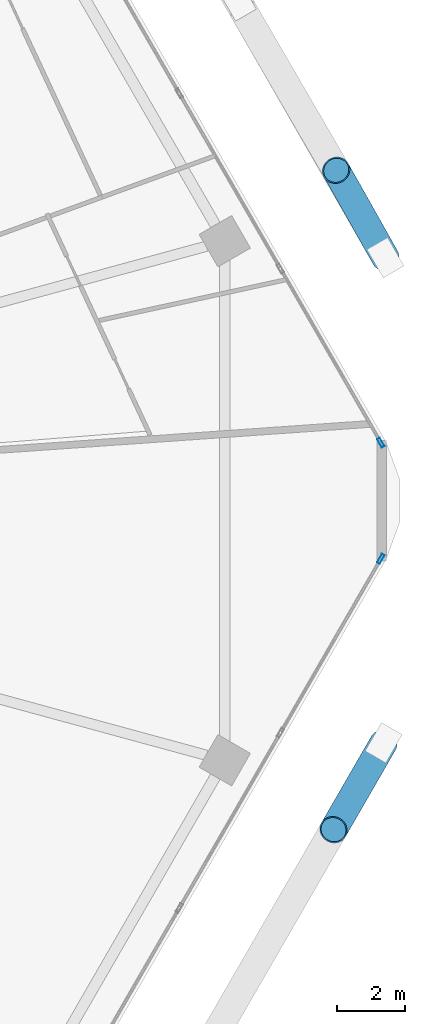
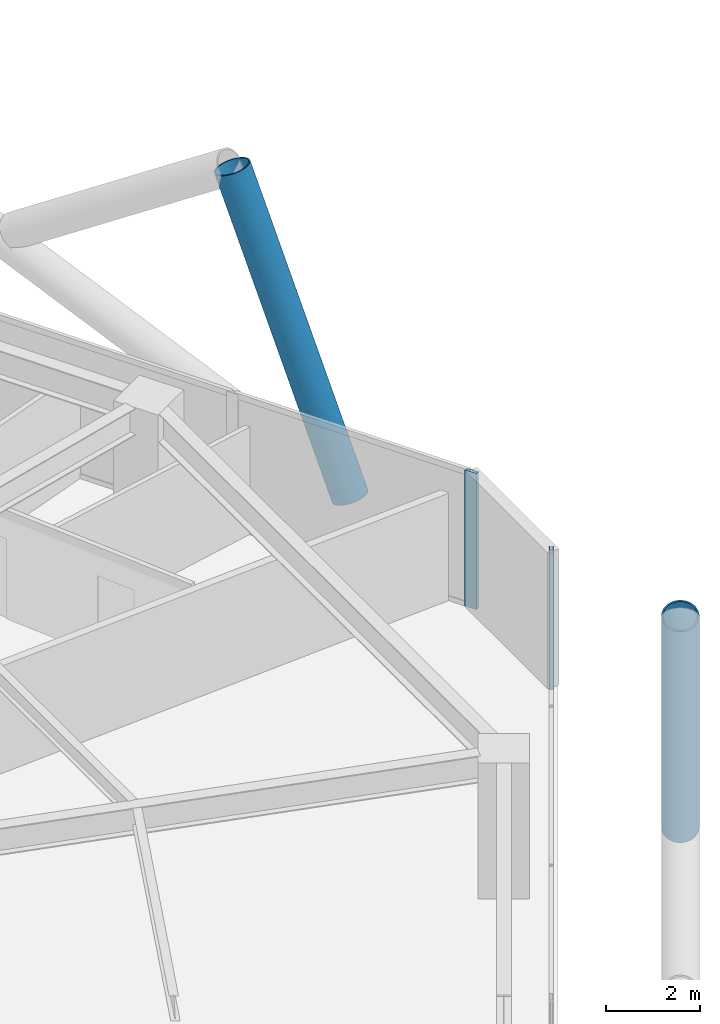
# One storey, part 25 of 35: 4 members, 2 elements without a shape of their own.
"""IFC4 building model written with IfcOpenShell, lengths in metres."""

from ifc_helpers import new_model, si_unit, direction, frame, origin, origin_2d, place, context, subcontext, project, spatial, hollow_rectangle, hollow_circle, extrude, material, material_profile, profile_set, type_object, element, aggregate, save


model = new_model("IFC4")

# Units and contexts
model_context = context("Model", 3, precision=1e-05, world=origin(), true_north=direction((0.0, 1.0)))
body_context = subcontext(model_context, "Body", "Model", "MODEL_VIEW")
ifc_project = project(units=[si_unit("LENGTHUNIT", "METRE"), si_unit("AREAUNIT", "SQUARE_METRE"), si_unit("VOLUMEUNIT", "CUBIC_METRE"), si_unit("PLANEANGLEUNIT", "RADIAN"), si_unit("MASSUNIT", "GRAM", prefix="KILO")], contexts=[model_context])

# Site, building, storey
site_placement = place(None, origin())
site = spatial("IfcSite", under=ifc_project, at=site_placement, CompositionType="ELEMENT")
building_placement = place(site_placement, origin())
building = spatial("IfcBuilding", under=site, at=building_placement, Name="Zuhravey Tower", CompositionType="ELEMENT")
storey_placement = place(building_placement, frame((0.0, 0.0, 92.39990234375)))
storey = spatial("IfcBuildingStorey", under=building, at=storey_placement, Name="L22", CompositionType="ELEMENT", Elevation=92.39990234375)

# Curtain wall, member
ifc_material_1 = material(Name="Thermally broken anodised aluminium", Category="aluminium")
curtain_wall_type = type_object("IfcCurtainWallType", Name="Zone 1-2 Residential Curtain Wall CW3", PredefinedType="NOTDEFINED", material=ifc_material_1)
curtain_wall_1_placement = place(storey_placement, origin())
curtain_wall_1 = element("IfcCurtainWall", 1, at=curtain_wall_1_placement, inside=storey, type_object=curtain_wall_type, Name="L22 CW3 CW-L22-F6-1", PredefinedType="NOTDEFINED")
ifc_material_2 = material(Name="Anodised aluminium", Category="aluminium")
ifc_material_profile_1 = material_profile(ifc_material_2, hollow_rectangle(XDim=0.090087890625, YDim=0.284912109375, WallThickness=0.0048828125, at=origin_2d()), Name="ALU-RHS-90x285x5")
ifc_profile_set_1 = profile_set([ifc_material_profile_1], Name="Anodised aluminium")
member_type_1 = type_object("IfcMemberType", Name="Curtain-Wall Mullion 90x180", PredefinedType="MULLION", material=ifc_profile_set_1)
member_1_placement = place(storey_placement, frame((68.4560546875, 30.298583984375, 0.0), z_axis=(0.0, 0.0, 1.0), x_axis=(0.86602552265, -0.499999794119, 0.0)))
member_1 = element("IfcMember", 2, at=member_1_placement, type_object=member_type_1, Name="CW3 mullion 1", PredefinedType="MULLION", context=body_context, shape_type="SweptSolid", body=[
    extrude(hollow_rectangle(XDim=0.090087890625, YDim=0.284912109375, WallThickness=0.0048828125, at=origin_2d()), origin(), (0.0, 0.0, 1.0), 3.550048828125),
])
aggregate(curtain_wall_1, [member_1])

curtain_wall_2_placement = place(storey_placement, origin())
curtain_wall_2 = element("IfcCurtainWall", 3, at=curtain_wall_2_placement, inside=storey, type_object=curtain_wall_type, Name="L22 CW3 CW-L22-F1-1", PredefinedType="NOTDEFINED")
member_2_placement = place(storey_placement, frame((68.4560546875, 33.701416015625, 0.0), z_axis=(0.0, 0.0, 1.0), x_axis=(0.86602552265, 0.499999794119, 0.0)))
member_2 = element("IfcMember", 4, at=member_2_placement, type_object=member_type_1, Name="CW3 mullion 6", PredefinedType="MULLION", context=body_context, shape_type="SweptSolid", body=[
    extrude(hollow_rectangle(XDim=0.090087890625, YDim=0.284912109375, WallThickness=0.0048828125, at=origin_2d()), origin(), (0.0, 0.0, 1.0), 3.550048828125),
])
aggregate(curtain_wall_2, [member_2])

# Members
ifc_material_3 = material(Name="Steel SM460", Category="steel")
ifc_material_profile_2 = material_profile(ifc_material_3, hollow_circle(Radius=0.406494140625, WallThickness=0.035888671875, at=origin_2d()), Name="CHS-812.8x36")
ifc_profile_set_2 = profile_set([ifc_material_profile_2], Name="Steel SM460")
member_type_2 = type_object("IfcMemberType", Name="Exoskeleton Zone 1 Diagrid CHS813x36", PredefinedType="BRACE", material=ifc_profile_set_2)
for number, where, z_axis, x_axis, name in (
    (5, (68.585205078125, 39.117919921875, -0.44189453125), (-0.177350373779, 0.314566412207, 0.932520679252), (-0.871093800556, -0.49111667721, 0.0), "L22 Face 1 Diagrid Brace 1"),
    (6, (68.533203125, 24.912109375, -0.44189453125), (-0.180574288521, -0.312728273078, 0.932520216158), (0.866000778371, -0.500042650041, 0.0), "L22 Face 6 Diagrid Brace 4"),
):
    element("IfcMember", number, at=place(storey_placement, frame(where, z_axis=z_axis, x_axis=x_axis)), inside=storey, type_object=member_type_2, Name=name, PredefinedType="BRACE", context=body_context, shape_type="SweptSolid", body=[
        extrude(hollow_circle(Radius=0.406494140625, WallThickness=0.035888671875, at=origin_2d()), origin(), (0.0, 0.0, 1.0), 8.102783203125),
    ])

save(model, "model.ifc")
